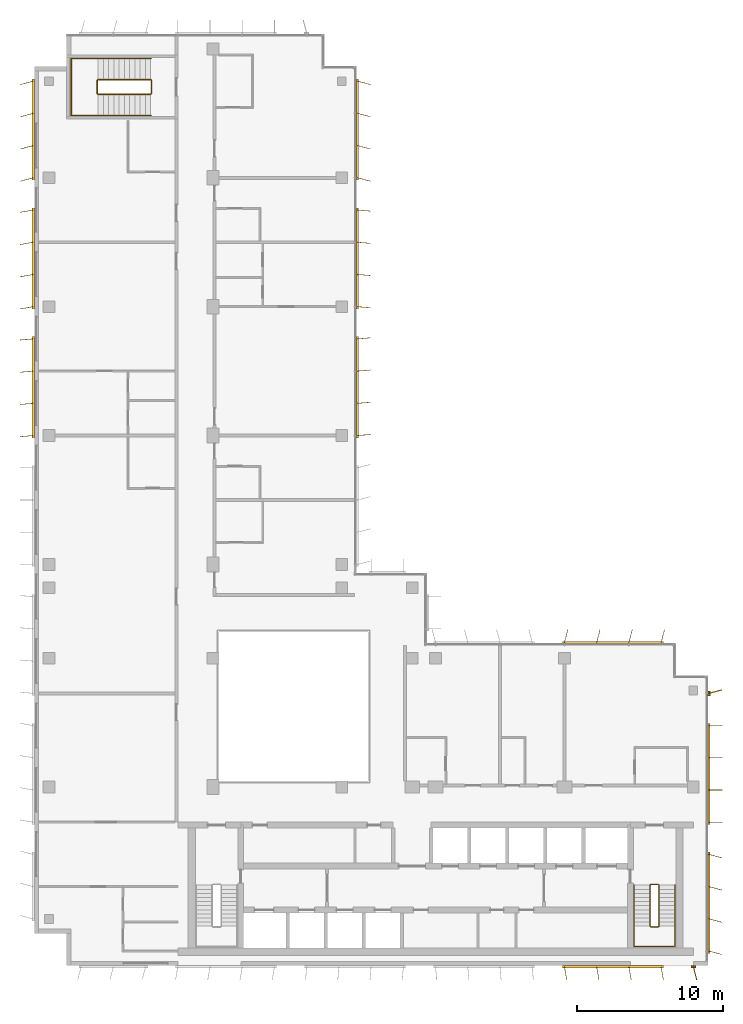
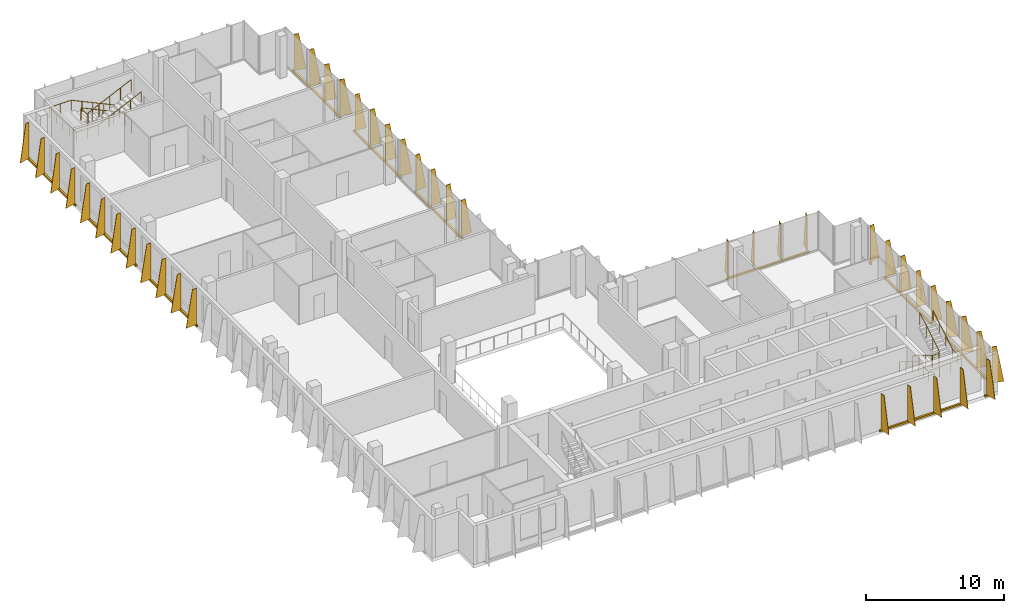
# One storey, part 14 of 15: 12 shading devices, 4 railings.
"""IFC4 building model written with IfcOpenShell, lengths in metres."""

import ifcopenshell
import ifcopenshell.guid

model = None  # the IFC model being written
_history = None  # IfcOwnerHistory: only IFC2X3 demands one
_inside = {}  # id of a spatial element -> (the spatial element, [elements in it])
_under = {}  # id of a project, library or spatial element -> (it, [spatial elements below it])
_declared = {}  # id of a project -> (the project, [libraries it declares])
_typed = {}  # id of a type object -> (the type object, [elements of that type])
_made_of = {}  # id of a material, layer set ... -> (it, [elements and type objects made of it])


def new_model(schema):
    """Start an empty IFC model of exactly this schema.

    Asked for "IFC4X3", IfcOpenShell would pick the latest addendum, in which some entities
    have other attributes; the version numbers below select the first issue.
    IFC2X3 requires an IfcOwnerHistory on every rooted entity: one is made here for all.
    """
    global model, _history
    if schema == "IFC4X3":
        model = ifcopenshell.file(schema_version=(4, 3, 0, 0))
    else:
        model = ifcopenshell.file(schema=schema)
    _inside.clear()
    _under.clear()
    _declared.clear()
    _typed.clear()
    _made_of.clear()
    _history = None
    if model.schema == "IFC2X3":
        org = make("IfcOrganization", Name="unknown")
        user = make(
            "IfcPersonAndOrganization",
            ThePerson=make("IfcPerson", FamilyName="unknown"),
            TheOrganization=org,
        )
        app = make(
            "IfcApplication",
            ApplicationDeveloper=org,
            Version="unknown",
            ApplicationFullName="unknown",
            ApplicationIdentifier="unknown",
        )
        _history = make(
            "IfcOwnerHistory",
            OwningUser=user,
            OwningApplication=app,
            ChangeAction="ADDED",
            CreationDate=0,
        )
    return model


def make(cls, **values):
    """One entity of the class cls with the attributes given. An attribute that is None is left unset."""
    return model.create_entity(
        cls, **{name: value for name, value in values.items() if value is not None}
    )


def rooted(cls, **values):
    """An entity with a GlobalId (a new one), such as an element, a storey or a relation."""
    return make(cls, GlobalId=ifcopenshell.guid.new(), OwnerHistory=_history, **values)


def si_unit(unit_type, name, prefix=None):
    """IfcSIUnit, for example si_unit("LENGTHUNIT", "METRE", prefix="MILLI")."""
    return make("IfcSIUnit", UnitType=unit_type, Prefix=prefix, Name=name)


def assignment(units):
    """IfcUnitAssignment: the units of a project."""
    return None if units is None else make("IfcUnitAssignment", Units=units)


def point(xyz):
    """IfcCartesianPoint."""
    return None if xyz is None else make("IfcCartesianPoint", Coordinates=xyz)


def direction(xyz):
    """IfcDirection."""
    return None if xyz is None else make("IfcDirection", DirectionRatios=xyz)


def frame(location, z_axis=None, x_axis=None):
    """IfcAxis2Placement3D, a coordinate frame: its origin and axes. An axis left out is left unset."""
    return make(
        "IfcAxis2Placement3D",
        Location=point(location),
        Axis=direction(z_axis),
        RefDirection=direction(x_axis),
    )


def frame_2d(location, x_axis=None):
    """IfcAxis2Placement2D, a coordinate frame in the plane: its origin and x axis."""
    return make(
        "IfcAxis2Placement2D", Location=point(location), RefDirection=direction(x_axis)
    )


def origin():
    """The frame at (0, 0, 0) with its axes left unset."""
    return frame((0.0, 0.0, 0.0))


def origin_2d():
    """The frame at (0, 0) in the plane with its x axis left unset."""
    return frame_2d((0.0, 0.0))


def place(relative_to, where):
    """IfcLocalPlacement: puts the frame where relative to a parent placement (None: the world)."""
    return make(
        "IfcLocalPlacement", PlacementRelTo=relative_to, RelativePlacement=where
    )


def context(
    kind, dimensions, precision=None, world=None, true_north=None, identifier=None
):
    """IfcGeometricRepresentationContext, for example the 3D "Model" context."""
    return make(
        "IfcGeometricRepresentationContext",
        ContextIdentifier=identifier,
        ContextType=kind,
        CoordinateSpaceDimension=dimensions,
        Precision=precision,
        WorldCoordinateSystem=world,
        TrueNorth=true_north,
    )


def subcontext(parent, identifier, kind, view, scale=None):
    """IfcGeometricRepresentationSubContext, for example "Body" below "Model"."""
    return make(
        "IfcGeometricRepresentationSubContext",
        ContextIdentifier=identifier,
        ContextType=kind,
        ParentContext=parent,
        TargetScale=scale,
        TargetView=view,
    )


def project(units=None, contexts=None):
    """IfcProject with its units and contexts."""
    return rooted(
        "IfcProject",
        Name="project",
        RepresentationContexts=contexts,
        UnitsInContext=assignment(units),
    )


def spatial(cls, under=None, at=None, **own):
    """A site, building, storey or space (cls), placed at a placement, below another one or the project."""
    s = rooted(cls, ObjectPlacement=at, **own)
    if under is not None:
        _under.setdefault(under.id(), (under, []))[1].append(s)
    return s


def polyline(points):
    """IfcPolyline through the points."""
    return make("IfcPolyline", Points=[point(p) for p in points])


def profile(cls, at=None, kind="AREA", **sizes):
    """A parametric profile (cls). Its sizes go by their IFC names, for example OverallWidth=200.0."""
    return make(cls, ProfileType=kind, Position=at, **sizes)


def rectangle(**sizes):
    """IfcRectangleProfileDef."""
    return profile("IfcRectangleProfileDef", **sizes)


def circle(**sizes):
    """IfcCircleProfileDef."""
    return profile("IfcCircleProfileDef", **sizes)


def outline(outer, holes=None, kind="AREA"):
    """IfcArbitraryClosedProfileDef: a profile drawn as a closed curve; with holes, ...WithVoids."""
    if holes is None:
        return make("IfcArbitraryClosedProfileDef", ProfileType=kind, OuterCurve=outer)
    return make(
        "IfcArbitraryProfileDefWithVoids",
        ProfileType=kind,
        OuterCurve=outer,
        InnerCurves=holes,
    )


def extrude(swept, where, along, depth):
    """IfcExtrudedAreaSolid: the profile swept, set in the frame where, extruded along a direction by depth."""
    return make(
        "IfcExtrudedAreaSolid",
        SweptArea=swept,
        Position=where,
        ExtrudedDirection=direction(along),
        Depth=depth,
    )


def shape(context_of_items, identifier, shape_type, items):
    """IfcShapeRepresentation: the items that make up one representation, for example the "Body"."""
    return make(
        "IfcShapeRepresentation",
        ContextOfItems=context_of_items,
        RepresentationIdentifier=identifier,
        RepresentationType=shape_type,
        Items=items,
    )


def source(mapping_origin, context_of_items, identifier, shape_type, items):
    """IfcRepresentationMap: a shape defined once, which mapped items show again and again."""
    return make(
        "IfcRepresentationMap",
        MappingOrigin=mapping_origin,
        MappedRepresentation=shape(context_of_items, identifier, shape_type, items),
    )


def transform(
    local_origin,
    x_axis=None,
    y_axis=None,
    z_axis=None,
    scale=None,
    scale2=None,
    scale3=None,
    uniform=True,
):
    """IfcCartesianTransformationOperator3D, or its non-uniform kind. x_axis, y_axis, z_axis: its Axis1, 2, 3."""
    if uniform:
        return make(
            "IfcCartesianTransformationOperator3D",
            Axis1=direction(x_axis),
            Axis2=direction(y_axis),
            LocalOrigin=point(local_origin),
            Scale=scale,
            Axis3=direction(z_axis),
        )
    return make(
        "IfcCartesianTransformationOperator3DnonUniform",
        Axis1=direction(x_axis),
        Axis2=direction(y_axis),
        LocalOrigin=point(local_origin),
        Scale=scale,
        Axis3=direction(z_axis),
        Scale2=scale2,
        Scale3=scale3,
    )


def mapped(mapping_source, mapping_target):
    """IfcMappedItem: shows the shape of a source again, moved by a transform."""
    return make(
        "IfcMappedItem", MappingSource=mapping_source, MappingTarget=mapping_target
    )


def material(Name=None, Category=None):
    """IfcMaterial."""
    return make("IfcMaterial", Name=Name, Category=Category)


def layer(
    of_material, thickness, ventilated=None, Name=None, Category=None, Priority=None
):
    """IfcMaterialLayer: one layer of a wall or slab, of a material (None: an air gap)."""
    return make(
        "IfcMaterialLayer",
        Material=of_material,
        LayerThickness=thickness,
        IsVentilated=ventilated,
        Name=Name,
        Category=Category,
        Priority=Priority,
    )


def layer_set(layers, Name=None):
    """IfcMaterialLayerSet."""
    return make("IfcMaterialLayerSet", MaterialLayers=layers, LayerSetName=Name)


def made_of(thing, what):
    """Note that an element or type object is made of a material, layer set ...; save() writes the relation."""
    if what is not None:
        _made_of.setdefault(what.id(), (what, []))[1].append(thing)
    return thing


def type_object(cls, material=None, **own):
    """A type object (cls), such as IfcWallType, which elements share."""
    return made_of(rooted(cls, **own), material)


def element(
    cls,
    number,
    at=None,
    inside=None,
    cuts=None,
    type_object=None,
    material=None,
    context=None,
    identifier="Body",
    shape_type=None,
    held_by="IfcProductDefinitionShape",
    body=None,
    shapes=None,
    **own,
):
    """One element of the class cls, such as IfcWall. Its Tag is "e" and its number.

    at: its placement. inside: the storey or other place that contains it. cuts: it is an
    opening in that element (IfcRelVoidsElement). A single representation is given by context,
    identifier, shape_type and body (its items); several are given by shapes. held_by: the class
    of the entity that holds the representations. save() writes the other relations.
    """
    e = rooted(cls, Tag="e%d" % number, ObjectPlacement=at, **own)
    if body is not None:
        shapes = [shape(context, identifier, shape_type, body)]
    if shapes is not None:
        e.Representation = make(held_by, Representations=shapes)
    if inside is not None:
        _inside.setdefault(inside.id(), (inside, []))[1].append(e)
    if cuts is not None:
        rooted(
            "IfcRelVoidsElement", RelatingBuildingElement=cuts, RelatedOpeningElement=e
        )
    if type_object is not None:
        _typed.setdefault(type_object.id(), (type_object, []))[1].append(e)
    return made_of(e, material)


def aggregate(whole, parts):
    """IfcRelAggregates: a whole, such as a stair, and the parts it consists of."""
    return rooted("IfcRelAggregates", RelatingObject=whole, RelatedObjects=parts)


def save(model, path):
    """Write the relations noted so far, then the file.

    IfcRelAggregates (storeys below a building ...), IfcRelContainedInSpatialStructure (elements
    in a storey), IfcRelDefinesByType, IfcRelAssociatesMaterial and IfcRelDeclares: one each for
    every whole, place, type object, material and project.
    """
    for whole, parts in _under.values():
        aggregate(whole, parts)
    for where, things in _inside.values():
        rooted(
            "IfcRelContainedInSpatialStructure",
            RelatedElements=things,
            RelatingStructure=where,
        )
    for kind, things in _typed.values():
        rooted("IfcRelDefinesByType", RelatedObjects=things, RelatingType=kind)
    for what, things in _made_of.values():
        rooted("IfcRelAssociatesMaterial", RelatedObjects=things, RelatingMaterial=what)
    for by, libraries in _declared.values():
        rooted("IfcRelDeclares", RelatingContext=by, RelatedDefinitions=libraries)
    model.write(path)


model = new_model("IFC4")

# Units and contexts
model_context = context("Model", 3, precision=1e-05, world=origin(), true_north=direction((0.0, 1.0)))
body_context = subcontext(model_context, "Body", "Model", "MODEL_VIEW")
ifc_project = project(units=[si_unit("LENGTHUNIT", "METRE"), si_unit("AREAUNIT", "SQUARE_METRE"), si_unit("VOLUMEUNIT", "CUBIC_METRE"), si_unit("PLANEANGLEUNIT", "RADIAN"), si_unit("MASSUNIT", "GRAM", prefix="KILO")], contexts=[model_context])

# Site, building, storey
site_placement = place(None, origin())
site = spatial("IfcSite", under=ifc_project, at=site_placement, CompositionType="ELEMENT")
building_placement = place(site_placement, origin())
building = spatial("IfcBuilding", under=site, at=building_placement, Name="Kemantara Hotel Tower", CompositionType="ELEMENT")
storey_placement = place(building_placement, frame((0.0, 0.0, 237.60009765625)))
storey = spatial("IfcBuildingStorey", under=building, at=storey_placement, Name="L59", CompositionType="ELEMENT", Elevation=237.60009765625)

# Railings
ifc_material_1 = material(Name="Stainless steel balustrade", Category="steel")
railing_type_1 = type_object("IfcRailingType", Name="Stair guard 1100 mm", PredefinedType="GUARDRAIL", material=ifc_material_1)
railing_1_placement = place(storey_placement, frame((42.64990234375, 5.5, 3.699951171875)))
element("IfcRailing", 1, at=railing_1_placement, inside=storey, type_object=railing_type_1, Name="L59 ST2 stair guard 1", PredefinedType="GUARDRAIL", context=body_context, shape_type="SweptSolid", body=[
    extrude(circle(Radius=0.02392578125, at=origin_2d()), frame((0.0, 0.0, 1.076171875), z_axis=(0.0, -0.857242210791, -0.514913383045), x_axis=(1.0, 0.0, 0.0)), (0.0, 0.0, 1.0), 3.266357421875),
    extrude(circle(Radius=0.02392578125, at=origin_2d()), frame((0.0, -2.800048828125, -0.60595703125), z_axis=(-0.273006030465, -0.27434429532, -0.922064485248), x_axis=(0.708833529934, -0.705375805398, 0.0)), (0.0, 0.0, 1.0), 0.182373046875),
    extrude(circle(Radius=0.02392578125, at=origin_2d()), frame((-0.0498046875, -2.85009765625, -0.77392578125), z_axis=(-1.0, 0.0, 0.0), x_axis=(0.0, -1.0, 0.0)), (0.0, 0.0, 1.0), 0.5),
    extrude(circle(Radius=0.02392578125, at=origin_2d()), frame((-0.5498046875, -2.85009765625, -0.77392578125), z_axis=(-0.707106781187, 0.707106781187, 0.0), x_axis=(-0.707106781187, -0.707106781187, 0.0)), (0.0, 0.0, 1.0), 0.07080078125),
    extrude(circle(Radius=0.02392578125, at=origin_2d()), frame((-0.599853515625, -2.800048828125, -0.77392578125), z_axis=(0.0, 0.857242210791, -0.514913383045), x_axis=(-1.0, 0.0, 0.0)), (0.0, 0.0, 1.0), 3.266357421875),
    extrude(circle(Radius=0.02392578125, at=origin_2d()), frame((-0.599853515625, 0.0, -2.4560546875), z_axis=(0.274582412415, 0.274582412415, -0.921525364591), x_axis=(-0.707106781187, 0.707106781187, 0.0)), (0.0, 0.0, 1.0), 0.182373046875),
    extrude(circle(Radius=0.02392578125, at=origin_2d()), frame((-0.5498046875, 0.050048828125, -2.6240234375), z_axis=(1.0, 0.0, 0.0), x_axis=(0.0, 1.0, 0.0)), (0.0, 0.0, 1.0), 0.5),
    extrude(circle(Radius=0.02099609375, at=origin_2d()), origin(), (0.0, 0.0, 1.0), 1.052001953125),
    extrude(circle(Radius=0.02099609375, at=origin_2d()), frame((0.0, -0.933349609375, -0.560546875)), (0.0, 0.0, 1.0), 1.052001953125),
    extrude(circle(Radius=0.02099609375, at=origin_2d()), frame((0.0, -1.86669921875, -1.121337890625)), (0.0, 0.0, 1.0), 1.052001953125),
    extrude(circle(Radius=0.02099609375, at=origin_2d()), frame((0.0, -2.800048828125, -1.681884765625)), (0.0, 0.0, 1.0), 1.052001953125),
    extrude(circle(Radius=0.02099609375, at=origin_2d()), frame((-0.0498046875, -2.85009765625, -1.85009765625)), (0.0, 0.0, 1.0), 1.052001953125),
    extrude(circle(Radius=0.02099609375, at=origin_2d()), frame((-0.5498046875, -2.85009765625, -1.85009765625)), (0.0, 0.0, 1.0), 1.052001953125),
    extrude(circle(Radius=0.02099609375, at=origin_2d()), frame((-0.599853515625, -2.800048828125, -1.85009765625)), (0.0, 0.0, 1.0), 1.052001953125),
    extrude(circle(Radius=0.02099609375, at=origin_2d()), frame((-0.599853515625, -1.86669921875, -2.41064453125)), (0.0, 0.0, 1.0), 1.052001953125),
    extrude(circle(Radius=0.02099609375, at=origin_2d()), frame((-0.599853515625, -0.933349609375, -2.971435546875)), (0.0, 0.0, 1.0), 1.052001953125),
    extrude(circle(Radius=0.02099609375, at=origin_2d()), frame((-0.599853515625, 0.0, -3.531982421875)), (0.0, 0.0, 1.0), 1.052001953125),
    extrude(circle(Radius=0.02099609375, at=origin_2d()), frame((-0.5498046875, 0.050048828125, -3.699951171875)), (0.0, 0.0, 1.0), 1.052001953125),
    extrude(circle(Radius=0.02099609375, at=origin_2d()), frame((-0.0498046875, 0.050048828125, -3.699951171875)), (0.0, 0.0, 1.0), 1.052001953125),
])
railing_2_placement = place(storey_placement, frame((7.949951171875, 59.5, 3.699951171875)))
element("IfcRailing", 2, at=railing_2_placement, inside=storey, type_object=railing_type_1, Name="L59 ST4 stair guard 1", PredefinedType="GUARDRAIL", context=body_context, shape_type="SweptSolid", body=[
    extrude(circle(Radius=0.02392578125, at=origin_2d()), frame((0.0, 0.0, 1.076171875), z_axis=(-0.905994681025, 0.0, -0.423289071386), x_axis=(0.0, -1.0, 0.0)), (0.0, 0.0, 1.0), 3.973388671875),
    extrude(circle(Radius=0.02392578125, at=origin_2d()), frame((-3.599853515625, 0.0, -0.60595703125), z_axis=(-0.274243871929, 0.274243871929, -0.92172696468), x_axis=(-0.707106781187, -0.707106781187, 0.0)), (0.0, 0.0, 1.0), 0.1826171875),
    extrude(circle(Radius=0.02392578125, at=origin_2d()), frame((-3.64990234375, 0.050048828125, -0.77392578125), z_axis=(0.0, 1.0, 0.0), x_axis=(-1.0, 0.0, 0.0)), (0.0, 0.0, 1.0), 0.89990234375),
    extrude(circle(Radius=0.02392578125, at=origin_2d()), frame((-3.64990234375, 0.949951171875, -0.77392578125), z_axis=(0.707106781187, 0.707106781187, 0.0), x_axis=(-0.707106781187, 0.707106781187, 0.0)), (0.0, 0.0, 1.0), 0.07080078125),
    extrude(circle(Radius=0.02392578125, at=origin_2d()), frame((-3.599853515625, 1.0, -0.77392578125), z_axis=(0.905994681025, 0.0, -0.423289071386), x_axis=(0.0, 1.0, 0.0)), (0.0, 0.0, 1.0), 3.973388671875),
    extrude(circle(Radius=0.02392578125, at=origin_2d()), frame((0.0, 1.0, -2.4560546875), z_axis=(0.274582412415, -0.274582412415, -0.921525364591), x_axis=(0.707106781187, 0.707106781187, 0.0)), (0.0, 0.0, 1.0), 0.182373046875),
    extrude(circle(Radius=0.02392578125, at=origin_2d()), frame((0.050048828125, 0.949951171875, -2.6240234375), z_axis=(0.0, -1.0, 0.0), x_axis=(1.0, 0.0, 0.0)), (0.0, 0.0, 1.0), 0.89990234375),
    extrude(circle(Radius=0.02099609375, at=origin_2d()), origin(), (0.0, 0.0, 1.0), 1.052001953125),
    extrude(circle(Radius=0.02099609375, at=origin_2d()), frame((-0.89990234375, 0.0, -0.42041015625)), (0.0, 0.0, 1.0), 1.052001953125),
    extrude(circle(Radius=0.02099609375, at=origin_2d()), frame((-1.7998046875, 0.0, -0.8408203125)), (0.0, 0.0, 1.0), 1.052001953125),
    extrude(circle(Radius=0.02099609375, at=origin_2d()), frame((-2.699951171875, 0.0, -1.261474609375)), (0.0, 0.0, 1.0), 1.052001953125),
    extrude(circle(Radius=0.02099609375, at=origin_2d()), frame((-3.599853515625, 0.0, -1.681884765625)), (0.0, 0.0, 1.0), 1.052001953125),
    extrude(circle(Radius=0.02099609375, at=origin_2d()), frame((-3.64990234375, 0.050048828125, -1.85009765625)), (0.0, 0.0, 1.0), 1.052001953125),
    extrude(circle(Radius=0.02099609375, at=origin_2d()), frame((-3.64990234375, 0.949951171875, -1.85009765625)), (0.0, 0.0, 1.0), 1.052001953125),
    extrude(circle(Radius=0.02099609375, at=origin_2d()), frame((-3.599853515625, 1.0, -1.85009765625)), (0.0, 0.0, 1.0), 1.052001953125),
    extrude(circle(Radius=0.02099609375, at=origin_2d()), frame((-2.699951171875, 1.0, -2.2705078125)), (0.0, 0.0, 1.0), 1.052001953125),
    extrude(circle(Radius=0.02099609375, at=origin_2d()), frame((-1.7998046875, 1.0, -2.69091796875)), (0.0, 0.0, 1.0), 1.052001953125),
    extrude(circle(Radius=0.02099609375, at=origin_2d()), frame((-0.89990234375, 1.0, -3.111572265625)), (0.0, 0.0, 1.0), 1.052001953125),
    extrude(circle(Radius=0.02099609375, at=origin_2d()), frame((0.0, 1.0, -3.531982421875)), (0.0, 0.0, 1.0), 1.052001953125),
    extrude(circle(Radius=0.02099609375, at=origin_2d()), frame((0.050048828125, 0.949951171875, -3.699951171875)), (0.0, 0.0, 1.0), 1.052001953125),
    extrude(circle(Radius=0.02099609375, at=origin_2d()), frame((0.050048828125, 0.050048828125, -3.699951171875)), (0.0, 0.0, 1.0), 1.052001953125),
])
railing_type_2 = type_object("IfcRailingType", Name="Stair handrail 900 mm", PredefinedType="HANDRAIL", material=ifc_material_1)
railing_3_placement = place(storey_placement, frame((40.949951171875, 5.5, 0.16796875)))
element("IfcRailing", 3, at=railing_3_placement, inside=storey, type_object=railing_type_2, Name="L59 ST2 stair handrail 1", PredefinedType="HANDRAIL", context=body_context, shape_type="SweptSolid", body=[
    extrude(circle(Radius=0.02392578125, at=origin_2d()), frame((0.0, 0.0, 0.8759765625), z_axis=(0.0, -0.857242210791, 0.514913383045), x_axis=(1.0, 0.0, 0.0)), (0.0, 0.0, 1.0), 3.266357421875),
    extrude(circle(Radius=0.02392578125, at=origin_2d()), frame((0.0, -2.800048828125, 2.5576171875), z_axis=(0.0, -1.0, 0.0), x_axis=(1.0, 0.0, 0.0)), (0.0, 0.0, 1.0), 1.3798828125),
    extrude(circle(Radius=0.02392578125, at=origin_2d()), frame((0.0, -4.179931640625, 2.5576171875), z_axis=(0.998200367801, 0.0, 0.059966871865), x_axis=(0.0, 1.0, 0.0)), (0.0, 0.0, 1.0), 2.80517578125),
    extrude(circle(Radius=0.02392578125, at=origin_2d()), frame((2.800048828125, -4.179931640625, 2.72607421875), z_axis=(0.0, 1.0, 0.0), x_axis=(-1.0, 0.0, 0.0)), (0.0, 0.0, 1.0), 1.3798828125),
    extrude(circle(Radius=0.02392578125, at=origin_2d()), frame((2.800048828125, -2.800048828125, 2.72607421875), z_axis=(0.0, 0.857242210791, 0.514913383045), x_axis=(-1.0, 0.0, 0.0)), (0.0, 0.0, 1.0), 3.266357421875),
    extrude(circle(Radius=0.02099609375, at=origin_2d()), origin(), (0.0, 0.0, 1.0), 0.851806640625),
    extrude(circle(Radius=0.02099609375, at=origin_2d()), frame((0.0, -0.933349609375, 0.560546875)), (0.0, 0.0, 1.0), 0.851806640625),
    extrude(circle(Radius=0.02099609375, at=origin_2d()), frame((0.0, -1.86669921875, 1.121337890625)), (0.0, 0.0, 1.0), 0.851806640625),
    extrude(circle(Radius=0.02099609375, at=origin_2d()), frame((0.0, -2.800048828125, 1.681884765625)), (0.0, 0.0, 1.0), 0.851806640625),
    extrude(circle(Radius=0.02099609375, at=origin_2d()), frame((0.0, -3.489990234375, 1.681884765625)), (0.0, 0.0, 1.0), 0.851806640625),
    extrude(circle(Radius=0.02099609375, at=origin_2d()), frame((0.0, -4.179931640625, 1.681884765625)), (0.0, 0.0, 1.0), 0.851806640625),
    extrude(circle(Radius=0.02099609375, at=origin_2d()), frame((0.933349609375, -4.179931640625, 1.738037109375)), (0.0, 0.0, 1.0), 0.851806640625),
    extrude(circle(Radius=0.02099609375, at=origin_2d()), frame((1.86669921875, -4.179931640625, 1.7939453125)), (0.0, 0.0, 1.0), 0.851806640625),
    extrude(circle(Radius=0.02099609375, at=origin_2d()), frame((2.800048828125, -4.179931640625, 1.85009765625)), (0.0, 0.0, 1.0), 0.851806640625),
    extrude(circle(Radius=0.02099609375, at=origin_2d()), frame((2.800048828125, -3.489990234375, 1.85009765625)), (0.0, 0.0, 1.0), 0.851806640625),
    extrude(circle(Radius=0.02099609375, at=origin_2d()), frame((2.800048828125, -2.800048828125, 1.85009765625)), (0.0, 0.0, 1.0), 0.851806640625),
    extrude(circle(Radius=0.02099609375, at=origin_2d()), frame((2.800048828125, -1.86669921875, 2.41064453125)), (0.0, 0.0, 1.0), 0.851806640625),
    extrude(circle(Radius=0.02099609375, at=origin_2d()), frame((2.800048828125, -0.933349609375, 2.971435546875)), (0.0, 0.0, 1.0), 0.851806640625),
    extrude(circle(Radius=0.02099609375, at=origin_2d()), frame((2.800048828125, 0.0, 3.531982421875)), (0.0, 0.0, 1.0), 0.851806640625),
])
railing_4_placement = place(storey_placement, frame((7.949951171875, 61.949951171875, 0.16796875)))
element("IfcRailing", 4, at=railing_4_placement, inside=storey, type_object=railing_type_2, Name="L59 ST4 stair handrail 1", PredefinedType="HANDRAIL", context=body_context, shape_type="SweptSolid", body=[
    extrude(circle(Radius=0.02392578125, at=origin_2d()), frame((0.0, 0.0, 0.8759765625), z_axis=(-0.905994681025, 0.0, 0.423289071386), x_axis=(0.0, -1.0, 0.0)), (0.0, 0.0, 1.0), 3.973388671875),
    extrude(circle(Radius=0.02392578125, at=origin_2d()), frame((-3.599853515625, 0.0, 2.5576171875), z_axis=(-1.0, 0.0, 0.0), x_axis=(0.0, -1.0, 0.0)), (0.0, 0.0, 1.0), 1.830078125),
    extrude(circle(Radius=0.02392578125, at=origin_2d()), frame((-5.429931640625, 0.0, 2.5576171875), z_axis=(0.0, -0.999071085748, 0.043092523981), x_axis=(1.0, 0.0, 0.0)), (0.0, 0.0, 1.0), 3.903564453125),
    extrude(circle(Radius=0.02392578125, at=origin_2d()), frame((-5.429931640625, -3.89990234375, 2.72607421875), z_axis=(1.0, 0.0, 0.0), x_axis=(0.0, 1.0, 0.0)), (0.0, 0.0, 1.0), 1.830078125),
    extrude(circle(Radius=0.02392578125, at=origin_2d()), frame((-3.599853515625, -3.89990234375, 2.72607421875), z_axis=(0.905994681025, 0.0, 0.423289071386), x_axis=(0.0, 1.0, 0.0)), (0.0, 0.0, 1.0), 3.973388671875),
    extrude(circle(Radius=0.02099609375, at=origin_2d()), origin(), (0.0, 0.0, 1.0), 0.851806640625),
    extrude(circle(Radius=0.02099609375, at=origin_2d()), frame((-0.89990234375, 0.0, 0.42041015625)), (0.0, 0.0, 1.0), 0.851806640625),
    extrude(circle(Radius=0.02099609375, at=origin_2d()), frame((-1.7998046875, 0.0, 0.8408203125)), (0.0, 0.0, 1.0), 0.851806640625),
    extrude(circle(Radius=0.02099609375, at=origin_2d()), frame((-2.699951171875, 0.0, 1.261474609375)), (0.0, 0.0, 1.0), 0.851806640625),
    extrude(circle(Radius=0.02099609375, at=origin_2d()), frame((-3.599853515625, 0.0, 1.681884765625)), (0.0, 0.0, 1.0), 0.851806640625),
    extrude(circle(Radius=0.02099609375, at=origin_2d()), frame((-4.514892578125, 0.0, 1.681884765625)), (0.0, 0.0, 1.0), 0.851806640625),
    extrude(circle(Radius=0.02099609375, at=origin_2d()), frame((-5.429931640625, 0.0, 1.681884765625)), (0.0, 0.0, 1.0), 0.851806640625),
    extrude(circle(Radius=0.02099609375, at=origin_2d()), frame((-5.429931640625, -0.97509765625, 1.723876953125)), (0.0, 0.0, 1.0), 0.851806640625),
    extrude(circle(Radius=0.02099609375, at=origin_2d()), frame((-5.429931640625, -1.949951171875, 1.76611328125)), (0.0, 0.0, 1.0), 0.851806640625),
    extrude(circle(Radius=0.02099609375, at=origin_2d()), frame((-5.429931640625, -2.9248046875, 1.80810546875)), (0.0, 0.0, 1.0), 0.851806640625),
    extrude(circle(Radius=0.02099609375, at=origin_2d()), frame((-5.429931640625, -3.89990234375, 1.85009765625)), (0.0, 0.0, 1.0), 0.851806640625),
    extrude(circle(Radius=0.02099609375, at=origin_2d()), frame((-4.514892578125, -3.89990234375, 1.85009765625)), (0.0, 0.0, 1.0), 0.851806640625),
    extrude(circle(Radius=0.02099609375, at=origin_2d()), frame((-3.599853515625, -3.89990234375, 1.85009765625)), (0.0, 0.0, 1.0), 0.851806640625),
    extrude(circle(Radius=0.02099609375, at=origin_2d()), frame((-2.699951171875, -3.89990234375, 2.2705078125)), (0.0, 0.0, 1.0), 0.851806640625),
    extrude(circle(Radius=0.02099609375, at=origin_2d()), frame((-1.7998046875, -3.89990234375, 2.69091796875)), (0.0, 0.0, 1.0), 0.851806640625),
    extrude(circle(Radius=0.02099609375, at=origin_2d()), frame((-0.89990234375, -3.89990234375, 3.111572265625)), (0.0, 0.0, 1.0), 0.851806640625),
    extrude(circle(Radius=0.02099609375, at=origin_2d()), frame((0.0, -3.89990234375, 3.531982421875)), (0.0, 0.0, 1.0), 0.851806640625),
])

# Shading devices
ifc_material_2 = material(Name="Perforated aluminium plate 4 mm bronze anodised", Category="aluminium")
ifc_layer_1 = layer(ifc_material_2, 0.0400390625)
ifc_layer_set_1 = layer_set([ifc_layer_1], Name="Perforated aluminium plate 4 mm bronze anodised")
shading_device_type_1 = type_object("IfcShadingDeviceType", Name="SCREEN FIN CASSETTE, 4 BLADES AT -5.0 DEG, 3200 HIGH", PredefinedType="USERDEFINED", material=ifc_layer_set_1)
shared_shape_1 = source(origin(), body_context, "Body", "SweptSolid", [
    extrude(rectangle(XDim=6.89990234375, YDim=0.14990234375, at=origin_2d()), frame((3.300048828125, -0.074951171875, -0.14990234375), z_axis=(0.0, 0.0, 1.0), x_axis=(1.0, 0.0, 0.0)), (0.0, 0.0, 1.0), 0.14990234375),
    extrude(outline(polyline([(0.0, 0.0), (0.89990234375, 0.0), (0.35009765625, 3.199951171875), (0.0, 3.199951171875), (0.0, 0.0)])), frame((0.02001953125, -0.07666015625, 0.0), z_axis=(-0.996376129781, 0.085056498884, 0.0), x_axis=(-0.085056498884, -0.996376129781, 0.0)), (0.0, 0.0, 1.0), 0.040283203125),
    extrude(outline(polyline([(0.0, 0.0), (0.89990234375, 0.0), (0.35009765625, 3.199951171875), (0.0, 3.199951171875), (0.0, 0.0)])), frame((2.219970703125, -0.07666015625, 0.0), z_axis=(-0.996331773833, 0.085574508182, 0.0), x_axis=(-0.085574508182, -0.996331773833, 0.0)), (0.0, 0.0, 1.0), 0.0400390625),
    extrude(outline(polyline([(0.0, 0.0), (0.89990234375, 0.0), (0.35009765625, 3.199951171875), (0.0, 3.199951171875), (0.0, 0.0)])), frame((4.419921875, -0.07666015625, 0.0), z_axis=(-0.996331773833, 0.085574508182, 0.0), x_axis=(-0.085574508182, -0.996331773833, 0.0)), (0.0, 0.0, 1.0), 0.0400390625),
    extrude(outline(polyline([(0.0, 0.0), (0.89990234375, 0.0), (0.35009765625, 3.199951171875), (0.0, 3.199951171875), (0.0, 0.0)])), frame((6.619873046875, -0.07666015625, 0.0), z_axis=(-0.996331773833, 0.085574508182, 0.0), x_axis=(-0.085574508182, -0.996331773833, 0.0)), (0.0, 0.0, 1.0), 0.0400390625),
])
shading_device_1_placement = place(storey_placement, frame((22.0, 45.0, 0.099853515625), z_axis=(0.0, 0.0, 1.0), x_axis=(0.0, 1.0, 0.0)))
element("IfcShadingDevice", 5, at=shading_device_1_placement, inside=storey, type_object=shading_device_type_1, Name="SCREEN FIN CASSETTE L59 T4-R15-3", ObjectType="SCREEN FIN", PredefinedType="USERDEFINED", context=body_context, shape_type="MappedRepresentation", body=[
    mapped(shared_shape_1, transform((0.0, 0.0, 0.0))),
])
ifc_layer_2 = layer(ifc_material_2, 0.0400390625)
ifc_layer_set_2 = layer_set([ifc_layer_2], Name="Perforated aluminium plate 4 mm bronze anodised")
shading_device_type_2 = type_object("IfcShadingDeviceType", Name="SCREEN FIN CASSETTE, 4 BLADES AT +0.0 DEG, 3200 HIGH", PredefinedType="USERDEFINED", material=ifc_layer_set_2)
shared_shape_2 = source(origin(), body_context, "Body", "SweptSolid", [
    extrude(rectangle(XDim=6.89990234375, YDim=0.14990234375, at=origin_2d()), frame((3.300048828125, -0.074951171875, -0.14990234375), z_axis=(0.0, 0.0, 1.0), x_axis=(1.0, 0.0, 0.0)), (0.0, 0.0, 1.0), 0.14990234375),
    extrude(outline(polyline([(0.0, 0.0), (0.89990234375, 0.0), (0.35009765625, 3.199951171875), (0.0, 3.199951171875), (0.0, 0.0)])), frame((0.02001953125, -0.074951171875, 0.0), z_axis=(-1.0, 0.0, 0.0), x_axis=(0.0, -1.0, 0.0)), (0.0, 0.0, 1.0), 0.0400390625),
    extrude(outline(polyline([(0.0, 0.0), (0.89990234375, 0.0), (0.35009765625, 3.199951171875), (0.0, 3.199951171875), (0.0, 0.0)])), frame((2.219970703125, -0.074951171875, 0.0), z_axis=(-1.0, 0.0, 0.0), x_axis=(0.0, -1.0, 0.0)), (0.0, 0.0, 1.0), 0.0400390625),
    extrude(outline(polyline([(0.0, 0.0), (0.89990234375, 0.0), (0.35009765625, 3.199951171875), (0.0, 3.199951171875), (0.0, 0.0)])), frame((4.419921875, -0.074951171875, 0.0), z_axis=(-1.0, 0.0, 0.0), x_axis=(0.0, -1.0, 0.0)), (0.0, 0.0, 1.0), 0.0400390625),
    extrude(outline(polyline([(0.0, 0.0), (0.89990234375, 0.0), (0.35009765625, 3.199951171875), (0.0, 3.199951171875), (0.0, 0.0)])), frame((6.6201171875, -0.074951171875, 0.0), z_axis=(-1.0, 0.0, 0.0), x_axis=(0.0, -1.0, 0.0)), (0.0, 0.0, 1.0), 0.0400390625),
])
shading_device_2_placement = place(storey_placement, frame((46.0, 9.800048828125, 0.099853515625), z_axis=(0.0, 0.0, 1.0), x_axis=(0.0, 1.0, 0.0)))
element("IfcShadingDevice", 6, at=shading_device_2_placement, inside=storey, type_object=shading_device_type_2, Name="SCREEN FIN CASSETTE L59 T4-R09-2", ObjectType="SCREEN FIN", PredefinedType="USERDEFINED", context=body_context, shape_type="MappedRepresentation", body=[
    mapped(shared_shape_2, transform((0.0, 0.0, 0.0))),
])
ifc_layer_3 = layer(ifc_material_2, 0.0400390625)
ifc_layer_set_3 = layer_set([ifc_layer_3], Name="Perforated aluminium plate 4 mm bronze anodised")
shading_device_type_3 = type_object("IfcShadingDeviceType", Name="SCREEN FIN CASSETTE, 4 BLADES AT +5.0 DEG, 3200 HIGH", PredefinedType="USERDEFINED", material=ifc_layer_set_3)
shared_shape_3 = source(origin(), body_context, "Body", "SweptSolid", [
    extrude(rectangle(XDim=6.89990234375, YDim=0.14990234375, at=origin_2d()), frame((3.300048828125, -0.074951171875, -0.14990234375), z_axis=(0.0, 0.0, 1.0), x_axis=(1.0, 0.0, 0.0)), (0.0, 0.0, 1.0), 0.14990234375),
    extrude(outline(polyline([(0.0, 0.0), (0.89990234375, 0.0), (0.35009765625, 3.199951171875), (0.0, 3.199951171875), (0.0, 0.0)])), frame((0.02001953125, -0.0732421875, 0.0), z_axis=(-0.996376129781, -0.085056498884, 0.0), x_axis=(0.085056498884, -0.996376129781, 0.0)), (0.0, 0.0, 1.0), 0.040283203125),
    extrude(outline(polyline([(0.0, 0.0), (0.89990234375, 0.0), (0.35009765625, 3.199951171875), (0.0, 3.199951171875), (0.0, 0.0)])), frame((2.219970703125, -0.0732421875, 0.0), z_axis=(-0.996331773833, -0.085574508182, 0.0), x_axis=(0.085574508182, -0.996331773833, 0.0)), (0.0, 0.0, 1.0), 0.0400390625),
    extrude(outline(polyline([(0.0, 0.0), (0.89990234375, 0.0), (0.35009765625, 3.199951171875), (0.0, 3.199951171875), (0.0, 0.0)])), frame((4.419921875, -0.0732421875, 0.0), z_axis=(-0.996331773833, -0.085574508182, 0.0), x_axis=(0.085574508182, -0.996331773833, 0.0)), (0.0, 0.0, 1.0), 0.0400390625),
    extrude(outline(polyline([(0.0, 0.0), (0.89990234375, 0.0), (0.35009765625, 3.199951171875), (0.0, 3.199951171875), (0.0, 0.0)])), frame((6.619873046875, -0.0732421875, 0.0), z_axis=(-0.996331773833, -0.085574508182, 0.0), x_axis=(0.085574508182, -0.996331773833, 0.0)), (0.0, 0.0, 1.0), 0.0400390625),
])
for number, where, z_axis, x_axis, name in (
    (7, (0.0, 42.800048828125, 0.099853515625), (0.0, 0.0, 1.0), (0.0, -1.0, 0.0), "SCREEN FIN CASSETTE L59 T4-R05-3"),
    (8, (22.0, 36.199951171875, 0.099853515625), (0.0, 0.0, 1.0), (0.0, 1.0, 0.0), "SCREEN FIN CASSETTE L59 T4-R15-2"),
):
    element("IfcShadingDevice", number, at=place(storey_placement, frame(where, z_axis=z_axis, x_axis=x_axis)), inside=storey, type_object=shading_device_type_3, Name=name, ObjectType="SCREEN FIN", PredefinedType="USERDEFINED", context=body_context, shape_type="MappedRepresentation", body=[
        mapped(shared_shape_3, transform((0.0, 0.0, 0.0))),
    ])
ifc_layer_4 = layer(ifc_material_2, 0.0400390625)
ifc_layer_set_4 = layer_set([ifc_layer_4], Name="Perforated aluminium plate 4 mm bronze anodised")
shading_device_type_4 = type_object("IfcShadingDeviceType", Name="SCREEN FIN CASSETTE, 4 BLADES AT +10.0 DEG, 3200 HIGH", PredefinedType="USERDEFINED", material=ifc_layer_set_4)
shared_shape_4 = source(origin(), body_context, "Body", "SweptSolid", [
    extrude(rectangle(XDim=6.89990234375, YDim=0.14990234375, at=origin_2d()), frame((3.300048828125, -0.074951171875, -0.14990234375), z_axis=(0.0, 0.0, 1.0), x_axis=(1.0, 0.0, 0.0)), (0.0, 0.0, 1.0), 0.14990234375),
    extrude(outline(polyline([(0.0, 0.0), (0.89990234375, 0.0), (0.35009765625, 3.199951171875), (0.0, 3.199951171875), (0.0, 0.0)])), frame((0.019775390625, -0.071533203125, 0.0), z_axis=(-0.985389793052, -0.170314285219, 0.0), x_axis=(0.170314285219, -0.985389793052, 0.0)), (0.0, 0.0, 1.0), 0.0400390625),
    extrude(outline(polyline([(0.0, 0.0), (0.89990234375, 0.0), (0.35009765625, 3.199951171875), (0.0, 3.199951171875), (0.0, 0.0)])), frame((2.2197265625, -0.071533203125, 0.0), z_axis=(-0.98521175482, -0.171341174751, 0.0), x_axis=(0.171341174751, -0.98521175482, 0.0)), (0.0, 0.0, 1.0), 0.039794921875),
    extrude(outline(polyline([(0.0, 0.0), (0.89990234375, 0.0), (0.35009765625, 3.199951171875), (0.0, 3.199951171875), (0.0, 0.0)])), frame((4.419677734375, -0.071533203125, 0.0), z_axis=(-0.98521175482, -0.171341174751, 0.0), x_axis=(0.171341174751, -0.98521175482, 0.0)), (0.0, 0.0, 1.0), 0.039794921875),
    extrude(outline(polyline([(0.0, 0.0), (0.89990234375, 0.0), (0.35009765625, 3.199951171875), (0.0, 3.199951171875), (0.0, 0.0)])), frame((6.61962890625, -0.071533203125, 0.0), z_axis=(-0.98521175482, -0.171341174751, 0.0), x_axis=(0.171341174751, -0.98521175482, 0.0)), (0.0, 0.0, 1.0), 0.039794921875),
])
for number, where, z_axis, x_axis, name in (
    (9, (0.0, 51.60009765625, 0.099853515625), (0.0, 0.0, 1.0), (0.0, -1.0, 0.0), "SCREEN FIN CASSETTE L59 T4-R05-2"),
    (10, (36.199951171875, 0.0, 0.099853515625), (0.0, 0.0, 1.0), (1.0, 0.0, 0.0), "SCREEN FIN CASSETTE L59 T4-R08-5"),
):
    element("IfcShadingDevice", number, at=place(storey_placement, frame(where, z_axis=z_axis, x_axis=x_axis)), inside=storey, type_object=shading_device_type_4, Name=name, ObjectType="SCREEN FIN", PredefinedType="USERDEFINED", context=body_context, shape_type="MappedRepresentation", body=[
        mapped(shared_shape_4, transform((0.0, 0.0, 0.0))),
    ])
ifc_layer_5 = layer(ifc_material_2, 0.0400390625)
ifc_layer_set_5 = layer_set([ifc_layer_5], Name="Perforated aluminium plate 4 mm bronze anodised")
shading_device_type_5 = type_object("IfcShadingDeviceType", Name="SCREEN FIN CASSETTE, 4 BLADES AT +15.0 DEG, 3200 HIGH", PredefinedType="USERDEFINED", material=ifc_layer_set_5)
shared_shape_5 = source(origin(), body_context, "Body", "SweptSolid", [
    extrude(rectangle(XDim=6.89990234375, YDim=0.14990234375, at=origin_2d()), frame((3.300048828125, -0.074951171875, -0.14990234375), z_axis=(0.0, 0.0, 1.0), x_axis=(1.0, 0.0, 0.0)), (0.0, 0.0, 1.0), 0.14990234375),
    extrude(outline(polyline([(0.0, 0.0), (0.89990234375, 0.0), (0.35009765625, 3.199951171875), (0.0, 3.199951171875), (0.0, 0.0)])), frame((0.019287109375, -0.06982421875, 0.0), z_axis=(-0.966437683387, -0.256901156343, 0.0), x_axis=(0.256901156343, -0.966437683387, 0.0)), (0.0, 0.0, 1.0), 0.039794921875),
    extrude(outline(polyline([(0.0, 0.0), (0.89990234375, 0.0), (0.35009765625, 3.199951171875), (0.0, 3.199951171875), (0.0, 0.0)])), frame((2.21923828125, -0.06982421875, 0.0), z_axis=(-0.966437683387, -0.256901156343, 0.0), x_axis=(0.256901156343, -0.966437683387, 0.0)), (0.0, 0.0, 1.0), 0.039794921875),
    extrude(outline(polyline([(0.0, 0.0), (0.89990234375, 0.0), (0.35009765625, 3.199951171875), (0.0, 3.199951171875), (0.0, 0.0)])), frame((4.41943359375, -0.06982421875, 0.0), z_axis=(-0.966837822169, -0.255391122837, 0.0), x_axis=(0.255391122837, -0.966837822169, 0.0)), (0.0, 0.0, 1.0), 0.0400390625),
    extrude(outline(polyline([(0.0, 0.0), (0.89990234375, 0.0), (0.35009765625, 3.199951171875), (0.0, 3.199951171875), (0.0, 0.0)])), frame((6.619384765625, -0.06982421875, 0.0), z_axis=(-0.966837822169, -0.255391122837, 0.0), x_axis=(0.255391122837, -0.966837822169, 0.0)), (0.0, 0.0, 1.0), 0.0400390625),
])
shading_device_3_placement = place(storey_placement, frame((0.0, 60.39990234375, 0.099853515625), z_axis=(0.0, 0.0, 1.0), x_axis=(0.0, -1.0, 0.0)))
element("IfcShadingDevice", 11, at=shading_device_3_placement, inside=storey, type_object=shading_device_type_5, Name="SCREEN FIN CASSETTE L59 T4-R05-1", ObjectType="SCREEN FIN", PredefinedType="USERDEFINED", context=body_context, shape_type="MappedRepresentation", body=[
    mapped(shared_shape_5, transform((0.0, 0.0, 0.0))),
])
ifc_layer_6 = layer(ifc_material_2, 0.0400390625)
ifc_layer_set_6 = layer_set([ifc_layer_6], Name="Perforated aluminium plate 4 mm bronze anodised")
shading_device_type_6 = type_object("IfcShadingDeviceType", Name="SCREEN FIN CASSETTE, 4 BLADES AT -15.0 DEG, 3200 HIGH", PredefinedType="USERDEFINED", material=ifc_layer_set_6)
shared_shape_6 = source(origin(), body_context, "Body", "SweptSolid", [
    extrude(rectangle(XDim=6.89990234375, YDim=0.14990234375, at=origin_2d()), frame((3.300048828125, -0.074951171875, -0.14990234375), z_axis=(0.0, 0.0, 1.0), x_axis=(1.0, 0.0, 0.0)), (0.0, 0.0, 1.0), 0.14990234375),
    extrude(outline(polyline([(0.0, 0.0), (0.89990234375, 0.0), (0.35009765625, 3.199951171875), (0.0, 3.199951171875), (0.0, 0.0)])), frame((0.019287109375, -0.080078125, 0.0), z_axis=(-0.966437683387, 0.256901156343, 0.0), x_axis=(-0.256901156343, -0.966437683387, 0.0)), (0.0, 0.0, 1.0), 0.039794921875),
    extrude(outline(polyline([(0.0, 0.0), (0.89990234375, 0.0), (0.35009765625, 3.199951171875), (0.0, 3.199951171875), (0.0, 0.0)])), frame((2.21923828125, -0.080078125, 0.0), z_axis=(-0.966437683387, 0.256901156343, 0.0), x_axis=(-0.256901156343, -0.966437683387, 0.0)), (0.0, 0.0, 1.0), 0.039794921875),
    extrude(outline(polyline([(0.0, 0.0), (0.89990234375, 0.0), (0.35009765625, 3.199951171875), (0.0, 3.199951171875), (0.0, 0.0)])), frame((4.41943359375, -0.080078125, 0.0), z_axis=(-0.966837822169, 0.255391122837, 0.0), x_axis=(-0.255391122837, -0.966837822169, 0.0)), (0.0, 0.0, 1.0), 0.0400390625),
    extrude(outline(polyline([(0.0, 0.0), (0.89990234375, 0.0), (0.35009765625, 3.199951171875), (0.0, 3.199951171875), (0.0, 0.0)])), frame((6.619384765625, -0.080078125, 0.0), z_axis=(-0.966837822169, 0.255391122837, 0.0), x_axis=(-0.255391122837, -0.966837822169, 0.0)), (0.0, 0.0, 1.0), 0.0400390625),
])
for number, where, z_axis, x_axis, name in (
    (12, (46.0, 1.0, 0.099853515625), (0.0, 0.0, 1.0), (0.0, 1.0, 0.0), "SCREEN FIN CASSETTE L59 T4-R09-1"),
    (13, (42.800048828125, 22.0, 0.099853515625), (0.0, 0.0, 1.0), (-1.0, 0.0, 0.0), "SCREEN FIN CASSETTE L59 T4-R12-1"),
    (14, (22.0, 53.800048828125, 0.099853515625), (0.0, 0.0, 1.0), (0.0, 1.0, 0.0), "SCREEN FIN CASSETTE L59 T4-R15-4"),
):
    element("IfcShadingDevice", number, at=place(storey_placement, frame(where, z_axis=z_axis, x_axis=x_axis)), inside=storey, type_object=shading_device_type_6, Name=name, ObjectType="SCREEN FIN", PredefinedType="USERDEFINED", context=body_context, shape_type="MappedRepresentation", body=[
        mapped(shared_shape_6, transform((0.0, 0.0, 0.0))),
    ])
ifc_layer_7 = layer(ifc_material_2, 0.0400390625)
ifc_layer_set_7 = layer_set([ifc_layer_7], Name="Perforated aluminium plate 4 mm bronze anodised")
shading_device_type_7 = type_object("IfcShadingDeviceType", Name="SCREEN FIN CASSETTE, 1 BLADE AT +15.0 DEG, 3200 HIGH", PredefinedType="USERDEFINED", material=ifc_layer_set_7)
shared_shape_7 = source(origin(), body_context, "Body", "SweptSolid", [
    extrude(rectangle(XDim=0.300048828125, YDim=0.14990234375, at=origin_2d()), frame((0.0, -0.074951171875, -0.14990234375), z_axis=(0.0, 0.0, 1.0), x_axis=(1.0, 0.0, 0.0)), (0.0, 0.0, 1.0), 0.14990234375),
    extrude(outline(polyline([(0.0, 0.0), (0.89990234375, 0.0), (0.35009765625, 3.199951171875), (0.0, 3.199951171875), (0.0, 0.0)])), frame((0.019287109375, -0.06982421875, 0.0), z_axis=(-0.966437683387, -0.256901156343, 0.0), x_axis=(0.256901156343, -0.966437683387, 0.0)), (0.0, 0.0, 1.0), 0.039794921875),
])
for number, where, z_axis, x_axis, name in (
    (15, (45.0, 0.0, 0.099853515625), (0.0, 0.0, 1.0), (1.0, 0.0, 0.0), "SCREEN FIN CASSETTE L59 T4-R08-6"),
    (16, (46.0, 18.60009765625, 0.099853515625), (0.0, 0.0, 1.0), (0.0, 1.0, 0.0), "SCREEN FIN CASSETTE L59 T4-R09-3"),
):
    element("IfcShadingDevice", number, at=place(storey_placement, frame(where, z_axis=z_axis, x_axis=x_axis)), inside=storey, type_object=shading_device_type_7, Name=name, ObjectType="SCREEN FIN", PredefinedType="USERDEFINED", context=body_context, shape_type="MappedRepresentation", body=[
        mapped(shared_shape_7, transform((0.0, 0.0, 0.0))),
    ])

save(model, "model.ifc")
